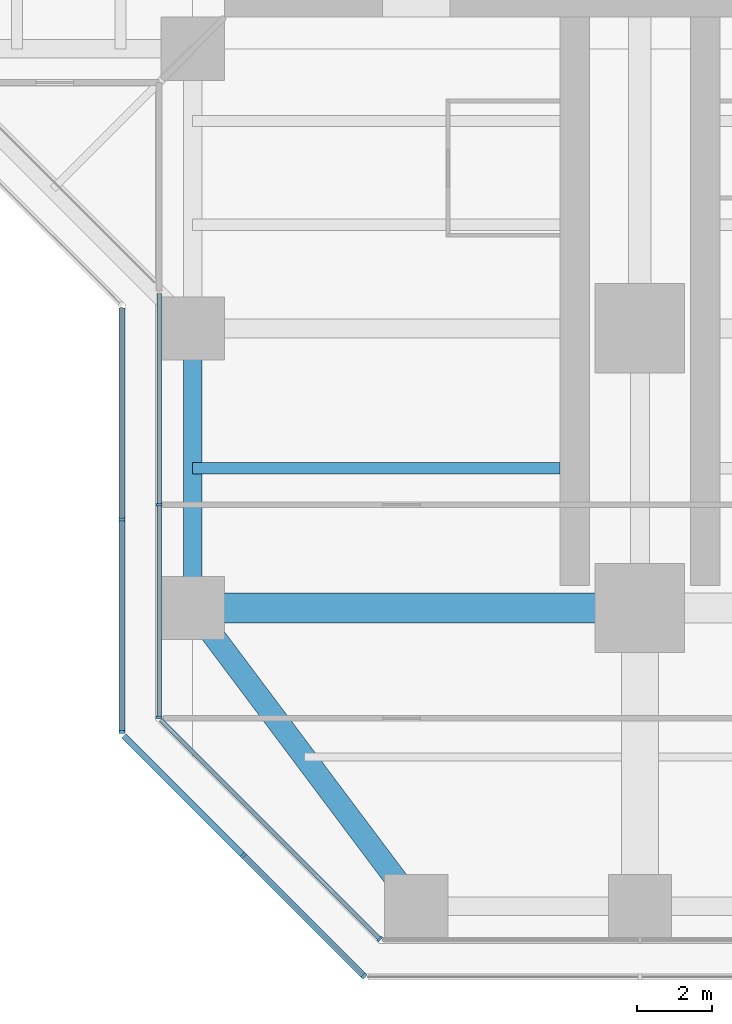
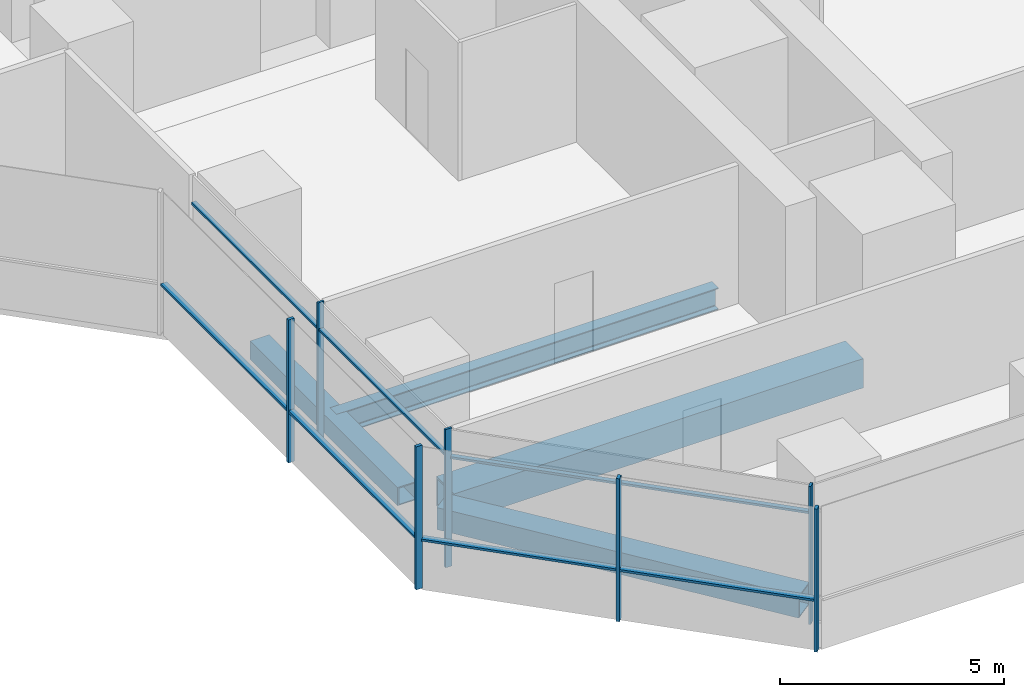
# One storey, part 2 of 22: 14 members, 4 beams, 4 elements without a shape of their own.
"""IFC4 building model written with IfcOpenShell, lengths in metres."""

from ifc_helpers import new_model, si_unit, direction, frame, origin, origin_2d, place, context, subcontext, project, spatial, rectangle, hollow_rectangle, i_section, extrude, material, material_profile, profile_set, type_object, element, aggregate, save


model = new_model("IFC4")

# Units and contexts
model_context = context("Model", 3, precision=1e-05, world=origin(), true_north=direction((0.0, 1.0)))
body_context = subcontext(model_context, "Body", "Model", "MODEL_VIEW")
ifc_project = project(units=[si_unit("LENGTHUNIT", "METRE"), si_unit("AREAUNIT", "SQUARE_METRE"), si_unit("VOLUMEUNIT", "CUBIC_METRE"), si_unit("PLANEANGLEUNIT", "RADIAN"), si_unit("MASSUNIT", "GRAM", prefix="KILO")], contexts=[model_context])

# Site, building, storey
site_placement = place(None, origin())
site = spatial("IfcSite", under=ifc_project, at=site_placement, CompositionType="ELEMENT")
building_placement = place(site_placement, origin())
building = spatial("IfcBuilding", under=site, at=building_placement, Name="Mizan Broadcast Tower", CompositionType="ELEMENT")
storey_placement = place(building_placement, frame((0.0, 0.0, 98.10009765625)))
storey = spatial("IfcBuildingStorey", under=building, at=storey_placement, Name="L21", CompositionType="ELEMENT", Elevation=98.10009765625)

# Beams
ifc_material_1 = material(Name="Steel S355", Category="steel")
ifc_material_profile_1 = material_profile(ifc_material_1, hollow_rectangle(XDim=0.5, YDim=0.5, WallThickness=0.030029296875, at=origin_2d()), Name="BOX 500x500x30")
ifc_profile_set_1 = profile_set([ifc_material_profile_1], Name="Steel S355")
beam_type_1 = type_object("IfcBeamType", Name="EDGE BEAM BOX 500x500x30", PredefinedType="SPANDREL", material=ifc_profile_set_1)
beam_1_placement = place(storey_placement, frame((-12.0, -19.949951171875, -0.380126953125), z_axis=(0.0, -1.0, 0.0), x_axis=(1.0, 0.0, 0.0)))
element("IfcBeam", 1, at=beam_1_placement, inside=storey, type_object=beam_type_1, Name="Edge beam BOX 500x500x30 L21 south arm", PredefinedType="SPANDREL", context=body_context, shape_type="SweptSolid", body=[
    extrude(hollow_rectangle(XDim=0.5, YDim=0.5, WallThickness=0.030029296875, at=origin_2d()), origin(), (0.0, 0.0, 1.0), 6.60009765625),
])
ifc_material_2 = material(Name="Steel S355", Category="steel")
ifc_material_profile_2 = material_profile(ifc_material_2, hollow_rectangle(XDim=0.60009765625, YDim=0.60009765625, WallThickness=0.030029296875, at=origin_2d()), Name="BOX 600x600x30")
ifc_profile_set_2 = profile_set([ifc_material_profile_2], Name="Steel S355")
beam_type_2 = type_object("IfcBeamType", Name="EDGE BEAM BOX 600x600x30", PredefinedType="SPANDREL", material=ifc_profile_set_2)
beam_2_placement = place(storey_placement, frame((-11.639892578125, -27.47998046875, -0.43017578125), z_axis=(0.599982243973, -0.800013316712, 0.0), x_axis=(0.800013316712, 0.599982243973, 0.0)))
element("IfcBeam", 2, at=beam_2_placement, inside=storey, type_object=beam_type_2, Name="Edge beam BOX 600x600x30 L21 south arm", PredefinedType="SPANDREL", context=body_context, shape_type="SweptSolid", body=[
    extrude(hollow_rectangle(XDim=0.60009765625, YDim=0.60009765625, WallThickness=0.030029296875, at=origin_2d()), origin(), (0.0, 0.0, 1.0), 8.7998046875),
])
ifc_material_3 = material(Name="Steel S460", Category="steel")
ifc_material_profile_3 = material_profile(ifc_material_3, hollow_rectangle(XDim=0.800048828125, YDim=0.800048828125, WallThickness=0.050048828125, at=origin_2d()), Name="BOX 800x800x50")
ifc_profile_set_3 = profile_set([ifc_material_profile_3], Name="Steel S460")
beam_type_3 = type_object("IfcBeamType", Name="GIRDER BOX 800x800x50", PredefinedType="BEAM", material=ifc_profile_set_3)
beam_3_placement = place(storey_placement, frame((-11.280029296875, -27.0, -0.530029296875), z_axis=(1.0, 0.0, 0.0), x_axis=(0.0, 1.0, 0.0)))
element("IfcBeam", 3, at=beam_3_placement, inside=storey, type_object=beam_type_3, Name="Girder BOX 800x800x50 L21 south arm", PredefinedType="BEAM", context=body_context, shape_type="SweptSolid", body=[
    extrude(hollow_rectangle(XDim=0.800048828125, YDim=0.800048828125, WallThickness=0.050048828125, at=origin_2d()), origin(), (0.0, 0.0, 1.0), 10.56005859375),
])

# Curtain wall, members
ifc_material_4 = material(Name="Aluminium framed glazing", Category="aluminium")
curtain_wall_type_1 = type_object("IfcCurtainWallType", Name="INNER SKIN LOW ZONE", PredefinedType="USERDEFINED", material=ifc_material_4)
curtain_wall_1_placement = place(storey_placement, origin())
curtain_wall_1 = element("IfcCurtainWall", 4, at=curtain_wall_1_placement, inside=storey, type_object=curtain_wall_type_1, Name="Inner skin low zone L21 S side", ObjectType="INNER SKIN LOW ZONE", PredefinedType="USERDEFINED")
ifc_material_5 = material(Name="Aluminium, pale anodised", Category="aluminium")
ifc_material_profile_4 = material_profile(ifc_material_5, rectangle(XDim=0.159912109375, YDim=0.06005859375, at=origin_2d()), Name="MULLION 160x60")
ifc_profile_set_4 = profile_set([ifc_material_profile_4], Name="Aluminium, pale anodised")
member_type_1 = type_object("IfcMemberType", Name="INNER SKIN MULLION 60x160", PredefinedType="MULLION", material=ifc_profile_set_4)
member_1_placement = place(storey_placement, frame((-12.89990234375, -24.229248046875, 0.0), z_axis=(0.0, 0.0, 1.0), x_axis=(1.0, 0.0, 0.0)))
member_1 = element("IfcMember", 5, at=member_1_placement, type_object=member_type_1, Name="Inner skin low zone L21 S side mullion 2", PredefinedType="MULLION", context=body_context, shape_type="SweptSolid", body=[
    extrude(rectangle(XDim=0.159912109375, YDim=0.06005859375, at=origin_2d()), origin(), (0.0, 0.0, 1.0), 3.77001953125),
])
member_2_placement = place(storey_placement, frame((-12.89990234375, -29.928466796875, 0.0), z_axis=(0.0, 0.0, 1.0), x_axis=(1.0, 0.0, 0.0)))
member_2 = element("IfcMember", 6, at=member_2_placement, type_object=member_type_1, Name="Inner skin low zone L21 S side mullion 3", PredefinedType="MULLION", context=body_context, shape_type="SweptSolid", body=[
    extrude(rectangle(XDim=0.159912109375, YDim=0.06005859375, at=origin_2d()), origin(), (0.0, 0.0, 1.0), 3.77001953125),
])

# Curtain wall, member
curtain_wall_2_placement = place(storey_placement, origin())
curtain_wall_2 = element("IfcCurtainWall", 7, at=curtain_wall_2_placement, inside=storey, type_object=curtain_wall_type_1, Name="Inner skin low zone L21 S chamfer", ObjectType="INNER SKIN LOW ZONE", PredefinedType="USERDEFINED")
member_3_placement = place(storey_placement, frame((-6.979736328125, -35.87890625, 0.0), z_axis=(0.0, 0.0, 1.0), x_axis=(0.707106781187, 0.707106781187, 0.0)))
member_3 = element("IfcMember", 8, at=member_3_placement, type_object=member_type_1, Name="Inner skin low zone L21 S chamfer mullion 2", PredefinedType="MULLION", context=body_context, shape_type="SweptSolid", body=[
    extrude(rectangle(XDim=0.159912109375, YDim=0.06005859375, at=origin_2d()), origin(), (0.0, 0.0, 1.0), 3.77001953125),
])

# Member
ifc_material_6 = material(Name="Aluminium, pale anodised", Category="aluminium")
ifc_material_profile_5 = material_profile(ifc_material_6, rectangle(XDim=0.1201171875, YDim=0.06005859375, at=origin_2d()), Name="TRANSOM 120x60")
ifc_profile_set_5 = profile_set([ifc_material_profile_5], Name="Aluminium, pale anodised")
member_type_2 = type_object("IfcMemberType", Name="INNER SKIN TRANSOM 60x120", PredefinedType="USERDEFINED", material=ifc_profile_set_5)
member_4_placement = place(storey_placement, frame((-12.89990234375, -18.56005859375, 3.02978515625), z_axis=(0.0, -1.0, 0.0), x_axis=(1.0, 0.0, 0.0)))
member_4 = element("IfcMember", 9, at=member_4_placement, type_object=member_type_2, Name="Inner skin low zone L21 S side transom 1.1", ObjectType="TRANSOM", PredefinedType="USERDEFINED", context=body_context, shape_type="SweptSolid", body=[
    extrude(rectangle(XDim=0.1201171875, YDim=0.06005859375, at=origin_2d()), origin(), (0.0, 0.0, 1.0), 5.63916015625),
])

member_5_placement = place(storey_placement, frame((-12.89990234375, -24.25927734375, 3.02978515625), z_axis=(0.0, -1.0, 0.0), x_axis=(1.0, 0.0, 0.0)))
member_5 = element("IfcMember", 10, at=member_5_placement, type_object=member_type_2, Name="Inner skin low zone L21 S side transom 2.1", ObjectType="TRANSOM", PredefinedType="USERDEFINED", context=body_context, shape_type="SweptSolid", body=[
    extrude(rectangle(XDim=0.1201171875, YDim=0.06005859375, at=origin_2d()), origin(), (0.0, 0.0, 1.0), 5.639404296875),
])

aggregate(curtain_wall_1, [member_1, member_2, member_4, member_5])

member_6_placement = place(storey_placement, frame((-12.857666015625, -30.0009765625, 3.02978515625), z_axis=(0.707106781187, -0.707106781187, 0.0), x_axis=(0.707106781187, 0.707106781187, 0.0)))
member_6 = element("IfcMember", 11, at=member_6_placement, type_object=member_type_2, Name="Inner skin low zone L21 S chamfer transom 1.1", ObjectType="TRANSOM", PredefinedType="USERDEFINED", context=body_context, shape_type="SweptSolid", body=[
    extrude(rectangle(XDim=0.1201171875, YDim=0.06005859375, at=origin_2d()), origin(), (0.0, 0.0, 1.0), 8.28271484375),
])

aggregate(curtain_wall_2, [member_3, member_6])

# Curtain wall, members
ifc_material_7 = material(Name="Aluminium framed glazing", Category="aluminium")
curtain_wall_type_2 = type_object("IfcCurtainWallType", Name="OUTER SKIN", PredefinedType="USERDEFINED", material=ifc_material_7)
curtain_wall_3_placement = place(storey_placement, origin())
curtain_wall_3 = element("IfcCurtainWall", 12, at=curtain_wall_3_placement, inside=storey, type_object=curtain_wall_type_2, Name="Outer skin L21 S side", ObjectType="OUTER SKIN", PredefinedType="USERDEFINED")
ifc_material_8 = material(Name="Aluminium, pale anodised", Category="aluminium")
ifc_material_profile_6 = material_profile(ifc_material_8, rectangle(XDim=0.159912109375, YDim=0.080078125, at=origin_2d()), Name="MULLION 160x80")
ifc_profile_set_6 = profile_set([ifc_material_profile_6], Name="Aluminium, pale anodised")
member_type_3 = type_object("IfcMemberType", Name="OUTER SKIN MULLION 80x160", PredefinedType="MULLION", material=ifc_profile_set_6)
member_7_placement = place(storey_placement, frame((-13.89990234375, -24.622802734375, 0.0), z_axis=(0.0, 0.0, 1.0), x_axis=(1.0, 0.0, 0.0)))
member_7 = element("IfcMember", 13, at=member_7_placement, type_object=member_type_3, Name="Outer skin L21 S side mullion 2", PredefinedType="MULLION", context=body_context, shape_type="SweptSolid", body=[
    extrude(rectangle(XDim=0.159912109375, YDim=0.080078125, at=origin_2d()), origin(), (0.0, 0.0, 1.0), 3.89990234375),
])
member_8_placement = place(storey_placement, frame((-13.89990234375, -30.332763671875, 0.0), z_axis=(0.0, 0.0, 1.0), x_axis=(1.0, 0.0, 0.0)))
member_8 = element("IfcMember", 14, at=member_8_placement, type_object=member_type_3, Name="Outer skin L21 S side mullion 3", PredefinedType="MULLION", context=body_context, shape_type="SweptSolid", body=[
    extrude(rectangle(XDim=0.159912109375, YDim=0.080078125, at=origin_2d()), origin(), (0.0, 0.0, 1.0), 3.89990234375),
])

curtain_wall_4_placement = place(storey_placement, origin())
curtain_wall_4 = element("IfcCurtainWall", 15, at=curtain_wall_4_placement, inside=storey, type_object=curtain_wall_type_2, Name="Outer skin L21 S chamfer", ObjectType="OUTER SKIN", PredefinedType="USERDEFINED")
member_9_placement = place(storey_placement, frame((-10.636474609375, -33.636474609375, 0.0), z_axis=(0.0, 0.0, 1.0), x_axis=(0.707106781187, 0.707106781187, 0.0)))
member_9 = element("IfcMember", 16, at=member_9_placement, type_object=member_type_3, Name="Outer skin L21 S chamfer mullion 2", PredefinedType="MULLION", context=body_context, shape_type="SweptSolid", body=[
    extrude(rectangle(XDim=0.159912109375, YDim=0.080078125, at=origin_2d()), origin(), (0.0, 0.0, 1.0), 3.89990234375),
])
member_10_placement = place(storey_placement, frame((-7.401123046875, -36.871826171875, 0.0), z_axis=(0.0, 0.0, 1.0), x_axis=(0.707106781187, 0.707106781187, 0.0)))
member_10 = element("IfcMember", 17, at=member_10_placement, type_object=member_type_3, Name="Outer skin L21 S chamfer mullion 3", PredefinedType="MULLION", context=body_context, shape_type="SweptSolid", body=[
    extrude(rectangle(XDim=0.159912109375, YDim=0.080078125, at=origin_2d()), origin(), (0.0, 0.0, 1.0), 3.89990234375),
])

# Member
ifc_material_9 = material(Name="Aluminium, pale anodised", Category="aluminium")
ifc_material_profile_7 = material_profile(ifc_material_9, rectangle(XDim=0.159912109375, YDim=0.06005859375, at=origin_2d()), Name="TRANSOM 160x60")
ifc_profile_set_7 = profile_set([ifc_material_profile_7], Name="Aluminium, pale anodised")
member_type_4 = type_object("IfcMemberType", Name="OUTER SKIN TRANSOM 60x160", PredefinedType="USERDEFINED", material=ifc_profile_set_7)
member_11_placement = place(storey_placement, frame((-13.89990234375, -18.952880859375, 1.39990234375), z_axis=(0.0, -1.0, 0.0), x_axis=(1.0, 0.0, 0.0)))
member_11 = element("IfcMember", 18, at=member_11_placement, type_object=member_type_4, Name="Outer skin L21 S side transom 1.1", ObjectType="TRANSOM", PredefinedType="USERDEFINED", context=body_context, shape_type="SweptSolid", body=[
    extrude(rectangle(XDim=0.159912109375, YDim=0.06005859375, at=origin_2d()), origin(), (0.0, 0.0, 1.0), 5.6298828125),
])

member_12_placement = place(storey_placement, frame((-13.89990234375, -24.662841796875, 1.39990234375), z_axis=(0.0, -1.0, 0.0), x_axis=(1.0, 0.0, 0.0)))
member_12 = element("IfcMember", 19, at=member_12_placement, type_object=member_type_4, Name="Outer skin L21 S side transom 2.1", ObjectType="TRANSOM", PredefinedType="USERDEFINED", context=body_context, shape_type="SweptSolid", body=[
    extrude(rectangle(XDim=0.159912109375, YDim=0.06005859375, at=origin_2d()), origin(), (0.0, 0.0, 1.0), 5.6298828125),
])

aggregate(curtain_wall_3, [member_7, member_8, member_11, member_12])

member_13_placement = place(storey_placement, frame((-13.843505859375, -30.429443359375, 1.39990234375), z_axis=(0.707106781187, -0.707106781187, 0.0), x_axis=(0.707106781187, 0.707106781187, 0.0)))
member_13 = element("IfcMember", 20, at=member_13_placement, type_object=member_type_4, Name="Outer skin L21 S chamfer transom 1.1", ObjectType="TRANSOM", PredefinedType="USERDEFINED", context=body_context, shape_type="SweptSolid", body=[
    extrude(rectangle(XDim=0.159912109375, YDim=0.06005859375, at=origin_2d()), origin(), (0.0, 0.0, 1.0), 4.495361328125),
])

member_14_placement = place(storey_placement, frame((-10.608154296875, -33.664794921875, 1.39990234375), z_axis=(0.707106781187, -0.707106781187, 0.0), x_axis=(0.707106781187, 0.707106781187, 0.0)))
member_14 = element("IfcMember", 21, at=member_14_placement, type_object=member_type_4, Name="Outer skin L21 S chamfer transom 2.1", ObjectType="TRANSOM", PredefinedType="USERDEFINED", context=body_context, shape_type="SweptSolid", body=[
    extrude(rectangle(XDim=0.159912109375, YDim=0.06005859375, at=origin_2d()), origin(), (0.0, 0.0, 1.0), 4.495361328125),
])

aggregate(curtain_wall_4, [member_9, member_10, member_13, member_14])

# Beam
ifc_material_10 = material(Name="Steel S355", Category="steel")
ifc_material_profile_8 = material_profile(ifc_material_10, i_section(OverallWidth=0.300048828125, OverallDepth=0.590087890625, WebThickness=0.012939453125, FlangeThickness=0.02490234375, FilletRadius=0.027099609375, at=origin_2d()), Name="HEA 600")
ifc_profile_set_8 = profile_set([ifc_material_profile_8], Name="Steel S355")
beam_type_4 = type_object("IfcBeamType", Name="SECONDARY BEAM HEA 600", PredefinedType="JOIST", material=ifc_profile_set_8)
beam_4_placement = place(storey_placement, frame((-12.0, -23.25, -0.425048828125), z_axis=(1.0, 0.0, 0.0), x_axis=(0.0, 1.0, 0.0)))
element("IfcBeam", 22, at=beam_4_placement, inside=storey, type_object=beam_type_4, Name="Secondary beam HEA 600 L21 south arm", PredefinedType="JOIST", context=body_context, shape_type="SweptSolid", body=[
    extrude(i_section(OverallWidth=0.300048828125, OverallDepth=0.590087890625, WebThickness=0.012939453125, FlangeThickness=0.02490234375, FilletRadius=0.027099609375, at=origin_2d()), origin(), (0.0, 0.0, 1.0), 9.85009765625),
])

save(model, "model.ifc")
